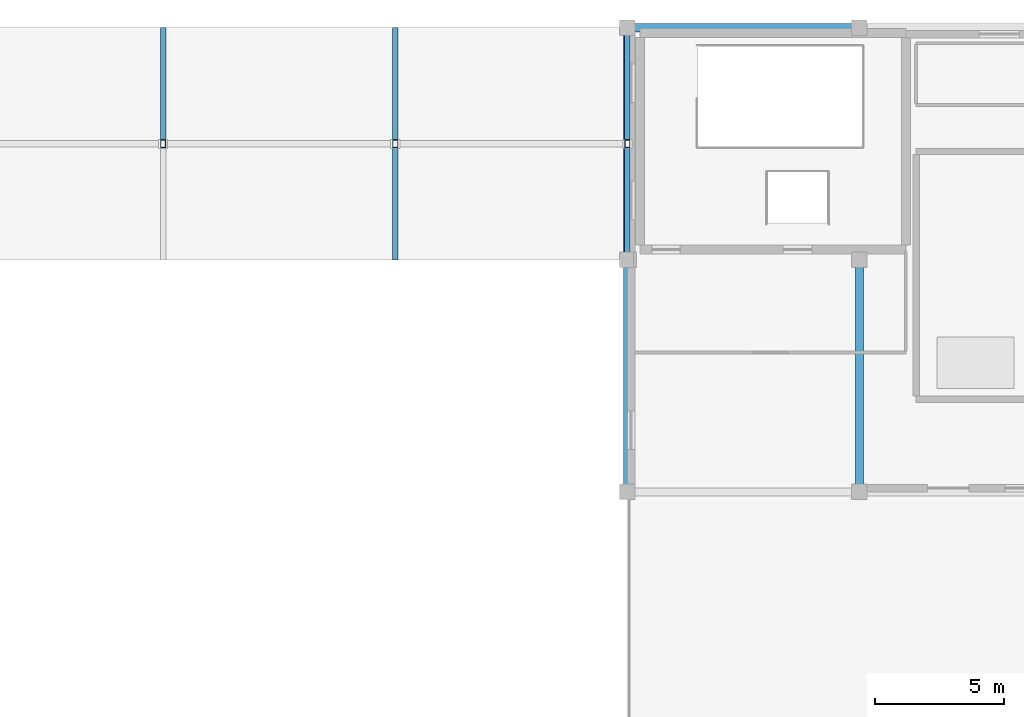
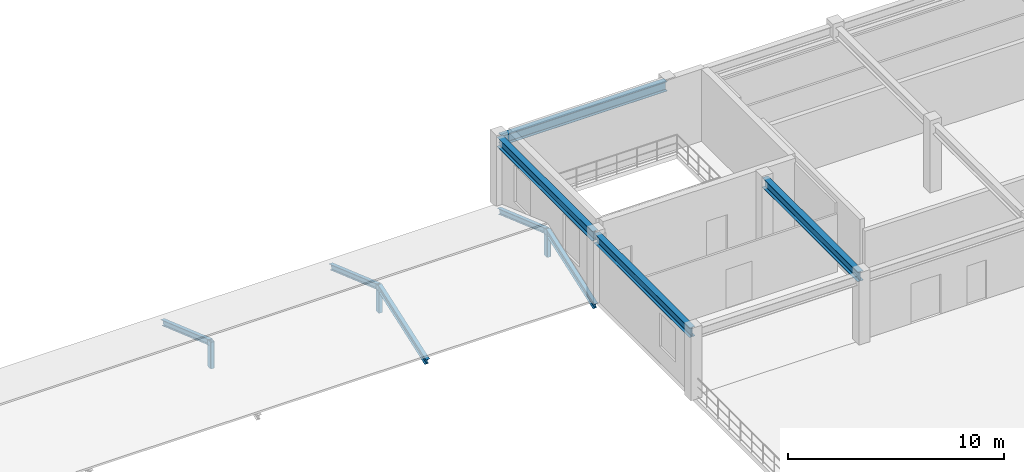
# One storey, part 49 of 80: 8 members, 4 beams.
"""IFC4 building model written with IfcOpenShell, lengths in metres."""

from ifc_helpers import new_model, si_unit, direction, frame, origin, origin_2d, place, context, subcontext, project, spatial, hollow_rectangle, i_section, extrude, material, material_profile, profile_set, type_object, element, save


model = new_model("IFC4")

# Units and contexts
model_context = context("Model", 3, precision=1e-05, world=origin(), true_north=direction((0.0, 1.0)))
body_context = subcontext(model_context, "Body", "Model", "MODEL_VIEW")
ifc_project = project(units=[si_unit("LENGTHUNIT", "METRE"), si_unit("AREAUNIT", "SQUARE_METRE"), si_unit("VOLUMEUNIT", "CUBIC_METRE"), si_unit("PLANEANGLEUNIT", "RADIAN"), si_unit("MASSUNIT", "GRAM", prefix="KILO")], contexts=[model_context])

# Site, building, storey
site_placement = place(None, origin())
site = spatial("IfcSite", under=ifc_project, at=site_placement, CompositionType="ELEMENT")
building_placement = place(site_placement, origin())
building = spatial("IfcBuilding", under=site, at=building_placement, Name="Miravela Opera House", CompositionType="ELEMENT")
storey_placement = place(building_placement, frame((0.0, 0.0, 17.679931640625)))
storey = spatial("IfcBuildingStorey", under=building, at=storey_placement, Name="L04", CompositionType="ELEMENT", Elevation=17.679931640625)

# Beams
ifc_material_1 = material(Name="Structural steel ASTM A992 Gr. 50", Category="steel")
ifc_material_profile_1 = material_profile(ifc_material_1, i_section(OverallWidth=0.31201171875, OverallDepth=0.54296875, WebThickness=0.0126953125, FlangeThickness=0.020263671875, FilletRadius=0.01611328125, at=origin_2d()), Name="W530X150")
ifc_profile_set_1 = profile_set([ifc_material_profile_1])
beam_type = type_object("IfcBeamType", Name="STR-BM-W530X150", PredefinedType="BEAM", material=ifc_profile_set_1)
for number, where, z_axis, x_axis, name in (
    (1, (63.080078125, 112.0, 3.568603515625), (1.0, 0.0, 0.0), (0.0, 1.0, 0.0), "Roof Eave Girder ROOF-V3-TOP N1"),
    (2, (63.0, 94.080078125, 3.568603515625), (0.0, 1.0, 0.0), (-1.0, 0.0, 0.0), "Roof King-Post Transverse Tie Girder ROOF-V3-TOP T0.1"),
    (3, (63.0, 103.080078125, 3.568603515625), (0.0, 1.0, 0.0), (-1.0, 0.0, 0.0), "Roof King-Post Transverse Tie Girder ROOF-V3-TOP T0.2"),
    (4, (72.0, 94.080078125, 3.568603515625), (0.0, 1.0, 0.0), (-1.0, 0.0, 0.0), "Roof King-Post Transverse Tie Girder ROOF-V3-TOP T1.1"),
):
    element("IfcBeam", number, at=place(storey_placement, frame(where, z_axis=z_axis, x_axis=x_axis)), inside=storey, type_object=beam_type, Name=name, PredefinedType="BEAM", context=body_context, shape_type="SweptSolid", body=[
        extrude(i_section(OverallWidth=0.31201171875, OverallDepth=0.54296875, WebThickness=0.0126953125, FlangeThickness=0.020263671875, FilletRadius=0.01611328125, at=origin_2d()), origin(), (0.0, 0.0, 1.0), 8.83984375),
    ])

# Members
ifc_material_2 = material(Name="Hollow structural steel ASTM A500 Gr. C", Category="steel")
ifc_material_profile_2 = material_profile(ifc_material_2, hollow_rectangle(XDim=0.199951171875, YDim=0.300048828125, WallThickness=0.011962890625, InnerFilletRadius=0.011962890625, OuterFilletRadius=0.02392578125, at=origin_2d()), Name="HSS300X200X12")
ifc_profile_set_2 = profile_set([ifc_material_profile_2])
member_type_1 = type_object("IfcMemberType", Name="STR-MEM-POST-HSS300X200", PredefinedType="POST", material=ifc_profile_set_2)
for number, where, z_axis, x_axis, name in (
    (5, (45.0, 107.5, -0.25), (0.0, 0.0, 1.0), (1.0, 0.0, 0.0), "Roof Ridge Support Post ROOF-V3-WEST-N M3"),
    (6, (54.0, 107.5, -0.25), (0.0, 0.0, 1.0), (1.0, 0.0, 0.0), "Roof Ridge Support Post ROOF-V3-WEST-N M4"),
    (7, (63.0, 107.5, -0.25), (0.0, 0.0, 1.0), (1.0, 0.0, 0.0), "Roof Gable King Post ROOF-V3-WEST-N E"),
):
    element("IfcMember", number, at=place(storey_placement, frame(where, z_axis=z_axis, x_axis=x_axis)), inside=storey, type_object=member_type_1, Name=name, PredefinedType="POST", context=body_context, shape_type="SweptSolid", body=[
        extrude(hollow_rectangle(XDim=0.199951171875, YDim=0.300048828125, WallThickness=0.011962890625, InnerFilletRadius=0.011962890625, OuterFilletRadius=0.02392578125, at=origin_2d()), origin(), (0.0, 0.0, 1.0), 1.510009765625),
    ])
ifc_material_profile_3 = material_profile(ifc_material_1, i_section(OverallWidth=0.2041015625, OverallDepth=0.35009765625, WebThickness=0.008544921875, FlangeThickness=0.01513671875, FilletRadius=0.013916015625, at=origin_2d()), Name="W360X72")
ifc_profile_set_3 = profile_set([ifc_material_profile_3])
member_type_2 = type_object("IfcMemberType", Name="STR-MEM-RAFTER-1", PredefinedType="RAFTER", material=ifc_profile_set_3)
for number, where, z_axis, x_axis, name in (
    (8, (54.0, 103.050048828125, -0.39990234375), (0.0, 0.943687918104, 0.3308369889), (-1.0, 0.0, 0.0), "Pitched Roof Rafter ROOF-V3-WEST-N S4"),
    (9, (63.0, 103.050048828125, -0.39990234375), (0.0, 0.943687918104, 0.3308369889), (-1.0, 0.0, 0.0), "Pitched Roof Rafter ROOF-V3-WEST-N S5"),
):
    element("IfcMember", number, at=place(storey_placement, frame(where, z_axis=z_axis, x_axis=x_axis)), inside=storey, type_object=member_type_2, Name=name, PredefinedType="RAFTER", context=body_context, shape_type="SweptSolid", body=[
        extrude(i_section(OverallWidth=0.2041015625, OverallDepth=0.35009765625, WebThickness=0.008544921875, FlangeThickness=0.01513671875, FilletRadius=0.013916015625, at=origin_2d()), origin(), (0.0, 0.0, 1.0), 4.715576171875),
    ])
ifc_material_profile_4 = material_profile(ifc_material_1, i_section(OverallWidth=0.202880859375, OverallDepth=0.302978515625, WebThickness=0.007568359375, FlangeThickness=0.01318359375, FilletRadius=0.012939453125, at=origin_2d()), Name="W310X60")
ifc_profile_set_4 = profile_set([ifc_material_profile_4])
member_type_3 = type_object("IfcMemberType", Name="STR-MEM-RAFTER-2", PredefinedType="RAFTER", material=ifc_profile_set_4)
for number, where, z_axis, x_axis, name in (
    (10, (45.0, 111.949951171875, -0.39990234375), (0.0, -0.943687918104, 0.3308369889), (1.0, 0.0, 0.0), "Pitched Roof Rafter ROOF-V3-WEST-N N3"),
    (11, (54.0, 111.949951171875, -0.39990234375), (0.0, -0.943687918104, 0.3308369889), (1.0, 0.0, 0.0), "Pitched Roof Rafter ROOF-V3-WEST-N N4"),
    (12, (63.0, 111.949951171875, -0.39990234375), (0.0, -0.943687918104, 0.3308369889), (1.0, 0.0, 0.0), "Pitched Roof Rafter ROOF-V3-WEST-N N5"),
):
    element("IfcMember", number, at=place(storey_placement, frame(where, z_axis=z_axis, x_axis=x_axis)), inside=storey, type_object=member_type_3, Name=name, PredefinedType="RAFTER", context=body_context, shape_type="SweptSolid", body=[
        extrude(i_section(OverallWidth=0.202880859375, OverallDepth=0.302978515625, WebThickness=0.007568359375, FlangeThickness=0.01318359375, FilletRadius=0.012939453125, at=origin_2d()), origin(), (0.0, 0.0, 1.0), 4.715576171875),
    ])

save(model, "model.ifc")
